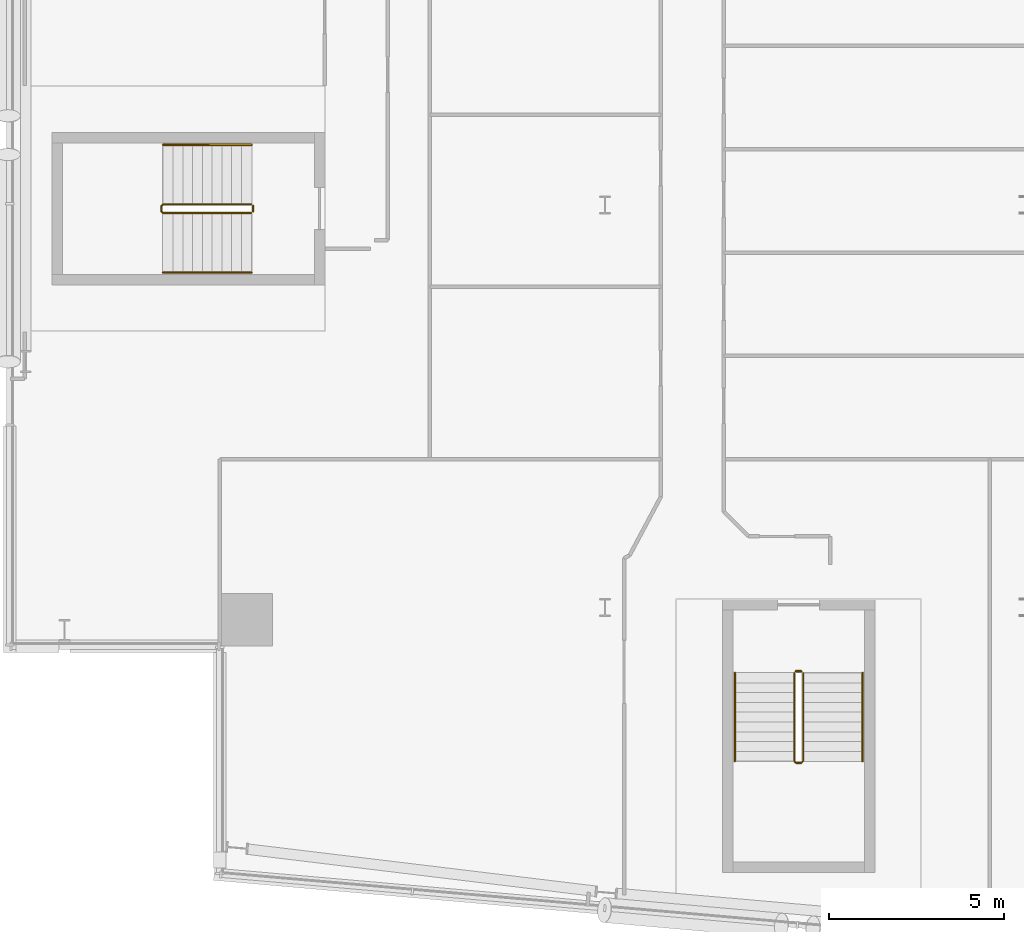
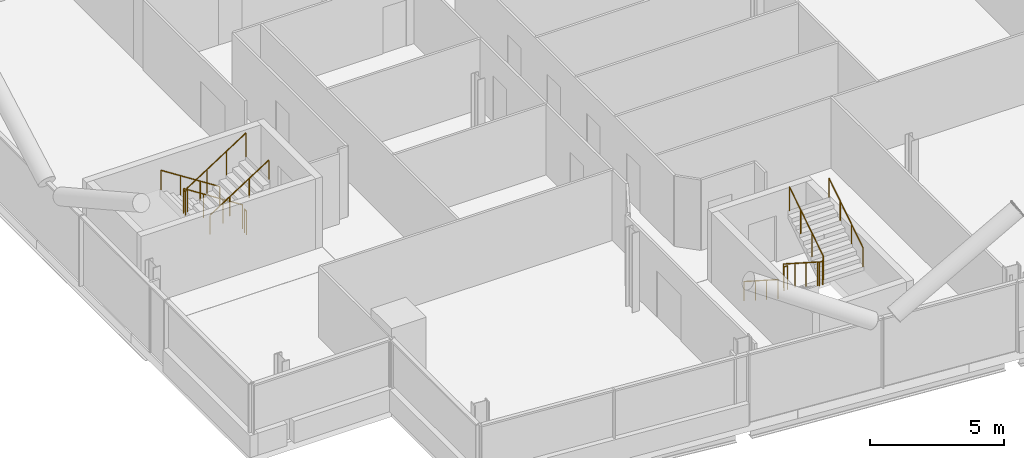
# One storey, part 24 of 26: 8 railings.
"""IFC4 building model written with IfcOpenShell, lengths in metres."""

from ifc_helpers import new_model, si_unit, direction, frame, origin, origin_2d, place, context, subcontext, project, spatial, circle, extrude, material, type_object, element, save


model = new_model("IFC4")

# Units and contexts
model_context = context("Model", 3, precision=1e-05, world=origin(), true_north=direction((0.0, 1.0)))
body_context = subcontext(model_context, "Body", "Model", "MODEL_VIEW")
ifc_project = project(units=[si_unit("LENGTHUNIT", "METRE"), si_unit("AREAUNIT", "SQUARE_METRE"), si_unit("VOLUMEUNIT", "CUBIC_METRE"), si_unit("PLANEANGLEUNIT", "RADIAN"), si_unit("MASSUNIT", "GRAM", prefix="KILO")], contexts=[model_context])

# Site, building, storey
site_placement = place(None, origin())
site = spatial("IfcSite", under=ifc_project, at=site_placement, CompositionType="ELEMENT")
building_placement = place(site_placement, origin())
building = spatial("IfcBuilding", under=site, at=building_placement, Name="Wharfspan Tower", CompositionType="ELEMENT")
storey_placement = place(building_placement, frame((0.0, 0.0, 166.300049)))
storey = spatial("IfcBuildingStorey", under=building, at=storey_placement, Name="L40", CompositionType="ELEMENT", Elevation=166.300049)

# Railings
ifc_material = material(Name="Steel S355J2", Category="steel")
railing_type_1 = type_object("IfcRailingType", Name="Stair guard 1100", PredefinedType="GUARDRAIL", material=ifc_material)
railing_1_placement = place(storey_placement, frame((13.899902, 23.024902, 0.179932)))
element("IfcRailing", 1, at=railing_1_placement, inside=storey, type_object=railing_type_1, Name="L40 ST3 stair guard 1", PredefinedType="GUARDRAIL", context=body_context, shape_type="SweptSolid", body=[
    extrude(circle(Radius=0.023926, at=origin_2d()), frame((0.0, 0.0, 1.076172), z_axis=(-0.841163, 0.0, 0.540782), x_axis=(0.0, -1.0, 0.0)), (0.0, 0.0, 1.0), 2.99585),
    extrude(circle(Radius=0.023926, at=origin_2d()), frame((-2.52002, 0.0, 2.696289), z_axis=(-0.707107, -0.707107, 0.0), x_axis=(0.707107, -0.707107, 0.0)), (0.0, 0.0, 1.0), 0.070312),
    extrude(circle(Radius=0.023926, at=origin_2d()), frame((-2.569824, -0.049805, 2.696289), z_axis=(0.0, -1.0, 0.0), x_axis=(1.0, 0.0, 0.0)), (0.0, 0.0, 1.0), 0.150146),
    extrude(circle(Radius=0.023926, at=origin_2d()), frame((-2.569824, -0.199951, 2.696289), z_axis=(0.257669, -0.258932, 0.930892), x_axis=(0.708833, 0.705372, -1e-06)), (0.0, 0.0, 1.0), 0.193359),
    extrude(circle(Radius=0.023926, at=origin_2d()), frame((-2.52002, -0.25, 2.875977), z_axis=(0.8412, 0.0, 0.540725), x_axis=(0.0, 1.0, 0.0)), (0.0, 0.0, 1.0), 2.99585),
    extrude(circle(Radius=0.020996, at=origin_2d()), origin(), (0.0, 0.0, 1.0), 1.052002),
    extrude(circle(Radius=0.020996, at=origin_2d()), frame((-0.840088, 0.0, 0.540039)), (0.0, 0.0, 1.0), 1.052002),
    extrude(circle(Radius=0.020996, at=origin_2d()), frame((-1.679932, 0.0, 1.080078)), (0.0, 0.0, 1.0), 1.052002),
    extrude(circle(Radius=0.020996, at=origin_2d()), frame((-2.52002, 0.0, 1.620117)), (0.0, 0.0, 1.0), 1.052002),
    extrude(circle(Radius=0.020996, at=origin_2d()), frame((-2.569824, -0.049805, 1.620117)), (0.0, 0.0, 1.0), 1.052002),
    extrude(circle(Radius=0.020996, at=origin_2d()), frame((-2.569824, -0.199951, 1.620117)), (0.0, 0.0, 1.0), 1.052002),
    extrude(circle(Radius=0.020996, at=origin_2d()), frame((-2.52002, -0.25, 1.800049)), (0.0, 0.0, 1.0), 1.052002),
    extrude(circle(Radius=0.020996, at=origin_2d()), frame((-1.679932, -0.25, 2.340088)), (0.0, 0.0, 1.0), 1.052002),
    extrude(circle(Radius=0.020996, at=origin_2d()), frame((-0.840088, -0.25, 2.879883)), (0.0, 0.0, 1.0), 1.052002),
    extrude(circle(Radius=0.020996, at=origin_2d()), frame((0.0, -0.25, 3.419922)), (0.0, 0.0, 1.0), 1.052002),
])
railing_2_placement = place(storey_placement, frame((13.949951, 22.975098, 0.0)))
element("IfcRailing", 2, at=railing_2_placement, inside=storey, type_object=railing_type_1, Name="L40 ST3 stair guard 2", PredefinedType="GUARDRAIL", context=body_context, shape_type="SweptSolid", body=[
    extrude(circle(Radius=0.023926, at=origin_2d()), frame((0.0, 0.0, 1.076172), z_axis=(0.0, -1.0, 0.0), x_axis=(1.0, 0.0, 0.0)), (0.0, 0.0, 1.0), 0.150146),
    extrude(circle(Radius=0.020996, at=origin_2d()), origin(), (0.0, 0.0, 1.0), 1.052002),
    extrude(circle(Radius=0.020996, at=origin_2d()), frame((0.0, -0.150146, 0.0)), (0.0, 0.0, 1.0), 1.052002),
])
railing_3_placement = place(storey_placement, frame((29.414307, 9.634277, 0.179932)))
element("IfcRailing", 3, at=railing_3_placement, inside=storey, type_object=railing_type_1, Name="L40 ST4 stair guard 1", PredefinedType="GUARDRAIL", context=body_context, shape_type="SweptSolid", body=[
    extrude(circle(Radius=0.023926, at=origin_2d()), frame((0.0, 0.0, 1.076172), z_axis=(0.0, -0.841163, 0.540782), x_axis=(1.0, 0.0, 0.0)), (0.0, 0.0, 1.0), 2.99585),
    extrude(circle(Radius=0.023926, at=origin_2d()), frame((0.0, -2.52002, 2.696289), z_axis=(0.705376, -0.708834, 0.0), x_axis=(0.708834, 0.705376, 0.0)), (0.0, 0.0, 1.0), 0.070557),
    extrude(circle(Radius=0.023926, at=origin_2d()), frame((0.049805, -2.570068, 2.696289), z_axis=(1.0, 0.0, 0.0), x_axis=(0.0, 1.0, 0.0)), (0.0, 0.0, 1.0), 0.150146),
    extrude(circle(Radius=0.023926, at=origin_2d()), frame((0.199951, -2.570068, 2.696289), z_axis=(0.258848, 0.258848, 0.930589), x_axis=(-0.707107, 0.707107, 0.0)), (0.0, 0.0, 1.0), 0.193359),
    extrude(circle(Radius=0.023926, at=origin_2d()), frame((0.25, -2.52002, 2.875977), z_axis=(0.0, 0.8412, 0.540725), x_axis=(-1.0, 0.0, 0.0)), (0.0, 0.0, 1.0), 2.99585),
    extrude(circle(Radius=0.020996, at=origin_2d()), origin(), (0.0, 0.0, 1.0), 1.052002),
    extrude(circle(Radius=0.020996, at=origin_2d()), frame((0.0, -0.840088, 0.540039)), (0.0, 0.0, 1.0), 1.052002),
    extrude(circle(Radius=0.020996, at=origin_2d()), frame((0.0, -1.679932, 1.080078)), (0.0, 0.0, 1.0), 1.052002),
    extrude(circle(Radius=0.020996, at=origin_2d()), frame((0.0, -2.52002, 1.620117)), (0.0, 0.0, 1.0), 1.052002),
    extrude(circle(Radius=0.020996, at=origin_2d()), frame((0.049805, -2.570068, 1.620117)), (0.0, 0.0, 1.0), 1.052002),
    extrude(circle(Radius=0.020996, at=origin_2d()), frame((0.199951, -2.570068, 1.620117)), (0.0, 0.0, 1.0), 1.052002),
    extrude(circle(Radius=0.020996, at=origin_2d()), frame((0.25, -2.52002, 1.800049)), (0.0, 0.0, 1.0), 1.052002),
    extrude(circle(Radius=0.020996, at=origin_2d()), frame((0.25, -1.679932, 2.340088)), (0.0, 0.0, 1.0), 1.052002),
    extrude(circle(Radius=0.020996, at=origin_2d()), frame((0.25, -0.840088, 2.879883)), (0.0, 0.0, 1.0), 1.052002),
    extrude(circle(Radius=0.020996, at=origin_2d()), frame((0.25, 0.0, 3.419922)), (0.0, 0.0, 1.0), 1.052002),
])
railing_4_placement = place(storey_placement, frame((29.464111, 9.684326, 0.0)))
element("IfcRailing", 4, at=railing_4_placement, inside=storey, type_object=railing_type_1, Name="L40 ST4 stair guard 2", PredefinedType="GUARDRAIL", context=body_context, shape_type="SweptSolid", body=[
    extrude(circle(Radius=0.023926, at=origin_2d()), frame((0.0, 0.0, 1.076172), z_axis=(1.0, 0.0, 0.0), x_axis=(0.0, 1.0, 0.0)), (0.0, 0.0, 1.0), 0.150146),
    extrude(circle(Radius=0.020996, at=origin_2d()), origin(), (0.0, 0.0, 1.0), 1.052002),
    extrude(circle(Radius=0.020996, at=origin_2d()), frame((0.150146, 0.0, 0.0)), (0.0, 0.0, 1.0), 1.052002),
])
railing_type_2 = type_object("IfcRailingType", Name="Stair handrail 900", PredefinedType="HANDRAIL", material=ifc_material)
railing_5_placement = place(storey_placement, frame((13.899902, 24.725098, 0.179932)))
element("IfcRailing", 5, at=railing_5_placement, inside=storey, type_object=railing_type_2, Name="L40 ST3 stair handrail 1", PredefinedType="HANDRAIL", context=body_context, shape_type="SweptSolid", body=[
    extrude(circle(Radius=0.023926, at=origin_2d()), frame((0.0, 0.0, 0.875977), z_axis=(-0.841163, 0.0, 0.540782), x_axis=(0.0, -1.0, 0.0)), (0.0, 0.0, 1.0), 2.99585),
    extrude(circle(Radius=0.020996, at=origin_2d()), origin(), (0.0, 0.0, 1.0), 0.851807),
    extrude(circle(Radius=0.020996, at=origin_2d()), frame((-0.840088, 0.0, 0.540039)), (0.0, 0.0, 1.0), 0.851807),
    extrude(circle(Radius=0.020996, at=origin_2d()), frame((-1.679932, 0.0, 1.080078)), (0.0, 0.0, 1.0), 0.851807),
    extrude(circle(Radius=0.020996, at=origin_2d()), frame((-2.52002, 0.0, 1.620117)), (0.0, 0.0, 1.0), 0.851807),
])
railing_6_placement = place(storey_placement, frame((11.379883, 21.074951, 1.97998)))
element("IfcRailing", 6, at=railing_6_placement, inside=storey, type_object=railing_type_2, Name="L40 ST3 stair handrail 2", PredefinedType="HANDRAIL", context=body_context, shape_type="SweptSolid", body=[
    extrude(circle(Radius=0.023926, at=origin_2d()), frame((0.0, 0.0, 0.875977), z_axis=(0.8412, 0.0, 0.540725), x_axis=(0.0, 1.0, 0.0)), (0.0, 0.0, 1.0), 2.99585),
    extrude(circle(Radius=0.020996, at=origin_2d()), origin(), (0.0, 0.0, 1.0), 0.851807),
    extrude(circle(Radius=0.020996, at=origin_2d()), frame((0.840088, 0.0, 0.540039)), (0.0, 0.0, 1.0), 0.851807),
    extrude(circle(Radius=0.020996, at=origin_2d()), frame((1.679932, 0.0, 1.079834)), (0.0, 0.0, 1.0), 0.851807),
    extrude(circle(Radius=0.020996, at=origin_2d()), frame((2.52002, 0.0, 1.619873)), (0.0, 0.0, 1.0), 0.851807),
])
railing_7_placement = place(storey_placement, frame((27.714111, 9.634277, 0.179932)))
element("IfcRailing", 7, at=railing_7_placement, inside=storey, type_object=railing_type_2, Name="L40 ST4 stair handrail 1", PredefinedType="HANDRAIL", context=body_context, shape_type="SweptSolid", body=[
    extrude(circle(Radius=0.023926, at=origin_2d()), frame((0.0, 0.0, 0.875977), z_axis=(0.0, -0.841163, 0.540782), x_axis=(1.0, 0.0, 0.0)), (0.0, 0.0, 1.0), 2.99585),
    extrude(circle(Radius=0.020996, at=origin_2d()), origin(), (0.0, 0.0, 1.0), 0.851807),
    extrude(circle(Radius=0.020996, at=origin_2d()), frame((0.0, -0.840088, 0.540039)), (0.0, 0.0, 1.0), 0.851807),
    extrude(circle(Radius=0.020996, at=origin_2d()), frame((0.0, -1.679932, 1.080078)), (0.0, 0.0, 1.0), 0.851807),
    extrude(circle(Radius=0.020996, at=origin_2d()), frame((0.0, -2.52002, 1.620117)), (0.0, 0.0, 1.0), 0.851807),
])
railing_8_placement = place(storey_placement, frame((31.364258, 7.114258, 1.97998)))
element("IfcRailing", 8, at=railing_8_placement, inside=storey, type_object=railing_type_2, Name="L40 ST4 stair handrail 2", PredefinedType="HANDRAIL", context=body_context, shape_type="SweptSolid", body=[
    extrude(circle(Radius=0.023926, at=origin_2d()), frame((0.0, 0.0, 0.875977), z_axis=(0.0, 0.8412, 0.540725), x_axis=(-1.0, 0.0, 0.0)), (0.0, 0.0, 1.0), 2.99585),
    extrude(circle(Radius=0.020996, at=origin_2d()), origin(), (0.0, 0.0, 1.0), 0.851807),
    extrude(circle(Radius=0.020996, at=origin_2d()), frame((0.0, 0.840088, 0.540039)), (0.0, 0.0, 1.0), 0.851807),
    extrude(circle(Radius=0.020996, at=origin_2d()), frame((0.0, 1.679932, 1.079834)), (0.0, 0.0, 1.0), 0.851807),
    extrude(circle(Radius=0.020996, at=origin_2d()), frame((0.0, 2.52002, 1.619873)), (0.0, 0.0, 1.0), 0.851807),
])

save(model, "model.ifc")
